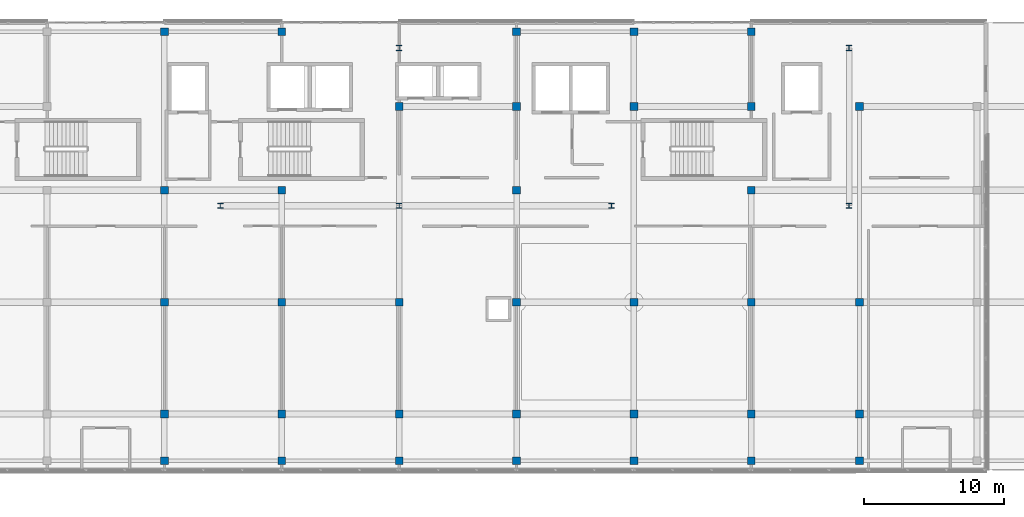
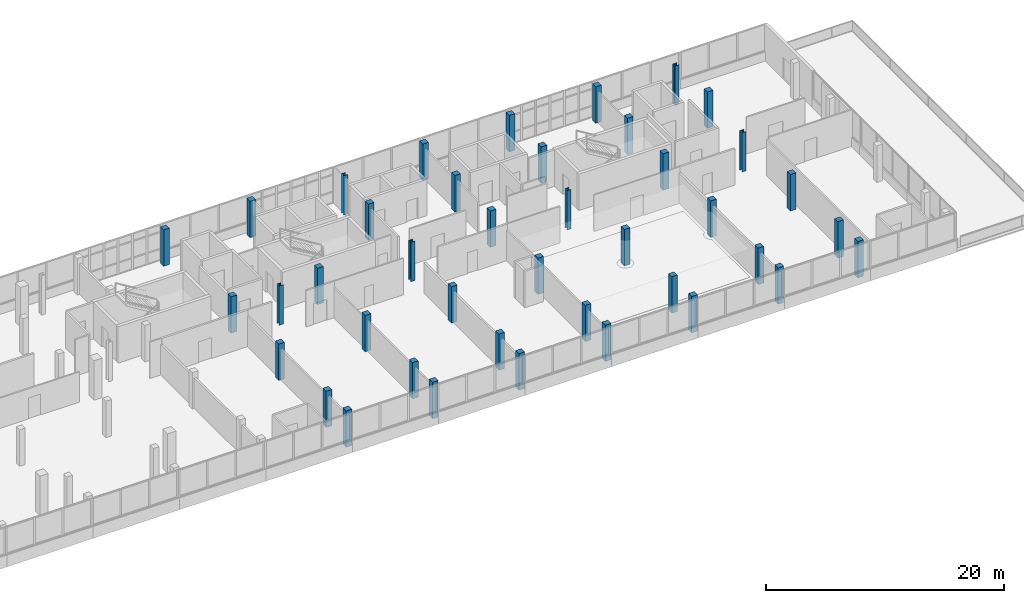
# One storey, part 2 of 67: 41 columns.
"""IFC4 building model written with IfcOpenShell, lengths in metres."""

from ifc_helpers import new_model, si_unit, direction, frame, origin, origin_2d, place, context, subcontext, project, spatial, rectangle, i_section, extrude, material, material_profile, profile_set, type_object, element, save


model = new_model("IFC4")

# Units and contexts
model_context = context("Model", 3, precision=1e-05, world=origin(), true_north=direction((0.0, 1.0)))
body_context = subcontext(model_context, "Body", "Model", "MODEL_VIEW")
ifc_project = project(units=[si_unit("LENGTHUNIT", "METRE"), si_unit("AREAUNIT", "SQUARE_METRE"), si_unit("VOLUMEUNIT", "CUBIC_METRE"), si_unit("PLANEANGLEUNIT", "RADIAN"), si_unit("MASSUNIT", "GRAM", prefix="KILO")], contexts=[model_context])

# Site, building, storey
site_placement = place(None, origin())
site = spatial("IfcSite", under=ifc_project, at=site_placement, CompositionType="ELEMENT")
building_placement = place(site_placement, origin())
building = spatial("IfcBuilding", under=site, at=building_placement, Name="Selatvlak General Hospital", CompositionType="ELEMENT")
storey_placement = place(building_placement, frame((0.0, 0.0, 35.39990234375)))
storey = spatial("IfcBuildingStorey", under=building, at=storey_placement, Name="L08", CompositionType="ELEMENT", Elevation=35.39990234375)

# Columns
ifc_material_1 = material(Name="Concrete C40/50", Category="concrete")
ifc_material_profile_1 = material_profile(ifc_material_1, rectangle(XDim=0.550048828125, YDim=0.550048828125, at=origin_2d()), Name="RC-COL 550x550")
ifc_profile_set_1 = profile_set([ifc_material_profile_1], Name="Concrete C40/50")
column_type_1 = type_object("IfcColumnType", Name="COL-RC55", PredefinedType="COLUMN", material=ifc_profile_set_1)
for number, where, z_axis, x_axis, name in (
    (1, (98.39990234375, 88.64990234375, 0.0), (0.0, 0.0, 1.0), (1.0, 0.0, 0.0), "Column 218 on L08"),
    (2, (98.39990234375, 92.0, 0.0), (0.0, 0.0, 1.0), (1.0, 0.0, 0.0), "Column 219 on L08"),
    (3, (98.39990234375, 100.0, 0.0), (0.0, 0.0, 1.0), (1.0, 0.0, 0.0), "Column 220 on L08"),
    (4, (98.39990234375, 108.0, 0.0), (0.0, 0.0, 1.0), (1.0, 0.0, 0.0), "Column 221 on L08"),
    (5, (98.39990234375, 119.35009765625, 0.0), (0.0, 0.0, 1.0), (1.0, 0.0, 0.0), "Column 222 on L08"),
    (6, (106.800048828125, 88.64990234375, 0.0), (0.0, 0.0, 1.0), (1.0, 0.0, 0.0), "Column 224 on L08"),
    (7, (106.800048828125, 92.0, 0.0), (0.0, 0.0, 1.0), (1.0, 0.0, 0.0), "Column 225 on L08"),
    (8, (106.800048828125, 100.0, 0.0), (0.0, 0.0, 1.0), (1.0, 0.0, 0.0), "Column 226 on L08"),
    (9, (106.800048828125, 108.0, 0.0), (0.0, 0.0, 1.0), (1.0, 0.0, 0.0), "Column 227 on L08"),
    (10, (106.800048828125, 119.35009765625, 0.0), (0.0, 0.0, 1.0), (1.0, 0.0, 0.0), "Column 228 on L08"),
    (11, (115.199951171875, 88.64990234375, 0.0), (0.0, 0.0, 1.0), (1.0, 0.0, 0.0), "Column 232 on L08"),
    (12, (115.199951171875, 92.0, 0.0), (0.0, 0.0, 1.0), (1.0, 0.0, 0.0), "Column 233 on L08"),
    (13, (115.199951171875, 100.0, 0.0), (0.0, 0.0, 1.0), (1.0, 0.0, 0.0), "Column 234 on L08"),
    (14, (115.199951171875, 114.0, 0.0), (0.0, 0.0, 1.0), (1.0, 0.0, 0.0), "Column 235 on L08"),
    (15, (123.60009765625, 88.64990234375, 0.0), (0.0, 0.0, 1.0), (1.0, 0.0, 0.0), "Column 240 on L08"),
    (16, (123.60009765625, 92.0, 0.0), (0.0, 0.0, 1.0), (1.0, 0.0, 0.0), "Column 241 on L08"),
    (17, (123.60009765625, 100.0, 0.0), (0.0, 0.0, 1.0), (1.0, 0.0, 0.0), "Column 242 on L08"),
    (18, (123.60009765625, 108.0, 0.0), (0.0, 0.0, 1.0), (1.0, 0.0, 0.0), "Column 243 on L08"),
    (19, (123.60009765625, 114.0, 0.0), (0.0, 0.0, 1.0), (1.0, 0.0, 0.0), "Column 244 on L08"),
    (20, (123.60009765625, 119.35009765625, 0.0), (0.0, 0.0, 1.0), (1.0, 0.0, 0.0), "Column 245 on L08"),
    (21, (132.0, 88.64990234375, 0.0), (0.0, 0.0, 1.0), (1.0, 0.0, 0.0), "Column 250 on L08"),
    (22, (132.0, 92.0, 0.0), (0.0, 0.0, 1.0), (1.0, 0.0, 0.0), "Column 251 on L08"),
    (23, (132.0, 100.0, 0.0), (0.0, 0.0, 1.0), (1.0, 0.0, 0.0), "Column 252 on L08"),
    (24, (132.0, 114.0, 0.0), (0.0, 0.0, 1.0), (1.0, 0.0, 0.0), "Column 253 on L08"),
    (25, (132.0, 119.35009765625, 0.0), (0.0, 0.0, 1.0), (1.0, 0.0, 0.0), "Column 254 on L08"),
    (26, (140.39990234375, 88.64990234375, 0.0), (0.0, 0.0, 1.0), (1.0, 0.0, 0.0), "Column 259 on L08"),
    (27, (140.39990234375, 92.0, 0.0), (0.0, 0.0, 1.0), (1.0, 0.0, 0.0), "Column 260 on L08"),
    (28, (140.39990234375, 100.0, 0.0), (0.0, 0.0, 1.0), (1.0, 0.0, 0.0), "Column 261 on L08"),
    (29, (140.39990234375, 108.0, 0.0), (0.0, 0.0, 1.0), (1.0, 0.0, 0.0), "Column 262 on L08"),
    (30, (140.39990234375, 114.0, 0.0), (0.0, 0.0, 1.0), (1.0, 0.0, 0.0), "Column 263 on L08"),
    (31, (140.39990234375, 119.35009765625, 0.0), (0.0, 0.0, 1.0), (1.0, 0.0, 0.0), "Column 264 on L08"),
    (32, (148.14990234375, 88.64990234375, 0.0), (0.0, 0.0, 1.0), (1.0, 0.0, 0.0), "Column 270 on L08"),
    (33, (148.14990234375, 92.0, 0.0), (0.0, 0.0, 1.0), (1.0, 0.0, 0.0), "Column 271 on L08"),
    (34, (148.14990234375, 100.0, 0.0), (0.0, 0.0, 1.0), (1.0, 0.0, 0.0), "Column 272 on L08"),
    (35, (148.14990234375, 114.0, 0.0), (0.0, 0.0, 1.0), (1.0, 0.0, 0.0), "Column 273 on L08"),
):
    element("IfcColumn", number, at=place(storey_placement, frame(where, z_axis=z_axis, x_axis=x_axis)), inside=storey, type_object=column_type_1, Name=name, PredefinedType="COLUMN", context=body_context, shape_type="SweptSolid", body=[
        extrude(rectangle(XDim=0.550048828125, YDim=0.550048828125, at=origin_2d()), origin(), (0.0, 0.0, 1.0), 3.739990234375),
    ])
ifc_material_2 = material(Name="Steel S355", Category="steel")
ifc_material_profile_2 = material_profile(ifc_material_2, i_section(OverallWidth=0.394775390625, OverallDepth=0.381103515625, WebThickness=0.018310546875, FlangeThickness=0.0302734375, at=origin_2d()), Name="UC 356x406x235")
ifc_profile_set_2 = profile_set([ifc_material_profile_2], Name="Steel S355")
column_type_2 = type_object("IfcColumnType", Name="COL-UC356", PredefinedType="COLUMN", material=ifc_profile_set_2)
for number, where, z_axis, x_axis, name in (
    (36, (102.39990234375, 106.89990234375, 0.0), (0.0, 0.0, 1.0), (1.0, 0.0, 0.0), "Column 053 on L08"),
    (37, (115.199951171875, 106.89990234375, 0.0), (0.0, 0.0, 1.0), (1.0, 0.0, 0.0), "Column 054 on L08"),
    (38, (130.39990234375, 106.89990234375, 0.0), (0.0, 0.0, 1.0), (1.0, 0.0, 0.0), "Column 055 on L08"),
    (39, (147.39990234375, 106.89990234375, 0.0), (0.0, 0.0, 1.0), (1.0, 0.0, 0.0), "Column 056 on L08"),
    (40, (115.199951171875, 118.199951171875, 0.0), (0.0, 0.0, 1.0), (1.0, 0.0, 0.0), "Column 058 on L08"),
    (41, (147.39990234375, 118.199951171875, 0.0), (0.0, 0.0, 1.0), (1.0, 0.0, 0.0), "Column 059 on L08"),
):
    element("IfcColumn", number, at=place(storey_placement, frame(where, z_axis=z_axis, x_axis=x_axis)), inside=storey, type_object=column_type_2, Name=name, PredefinedType="COLUMN", context=body_context, shape_type="SweptSolid", body=[
        extrude(i_section(OverallWidth=0.394775390625, OverallDepth=0.381103515625, WebThickness=0.018310546875, FlangeThickness=0.0302734375, at=origin_2d()), origin(), (0.0, 0.0, 1.0), 4.050048828125),
    ])

save(model, "model.ifc")
